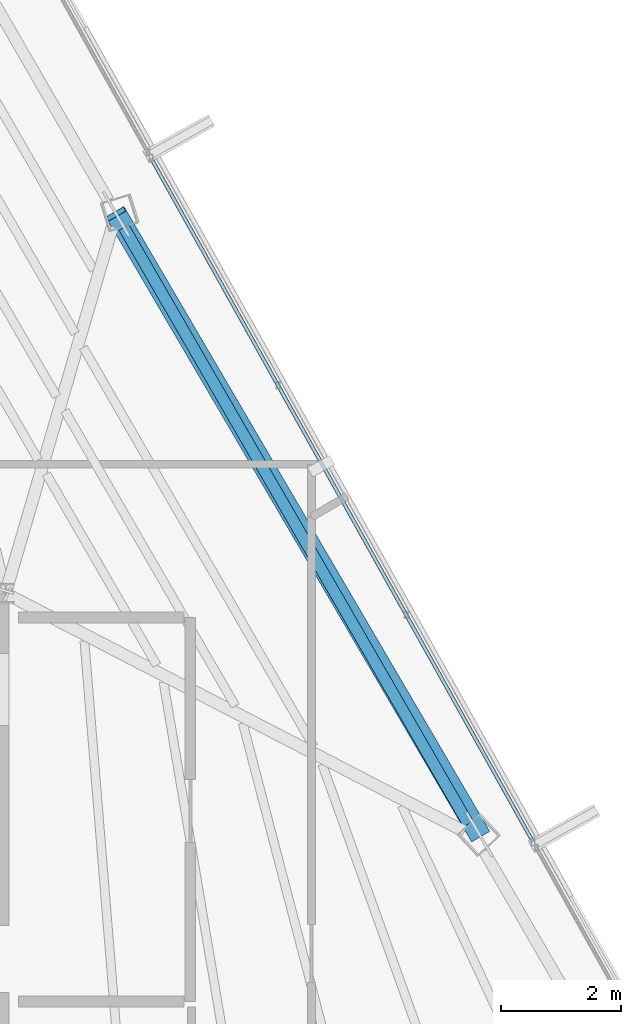
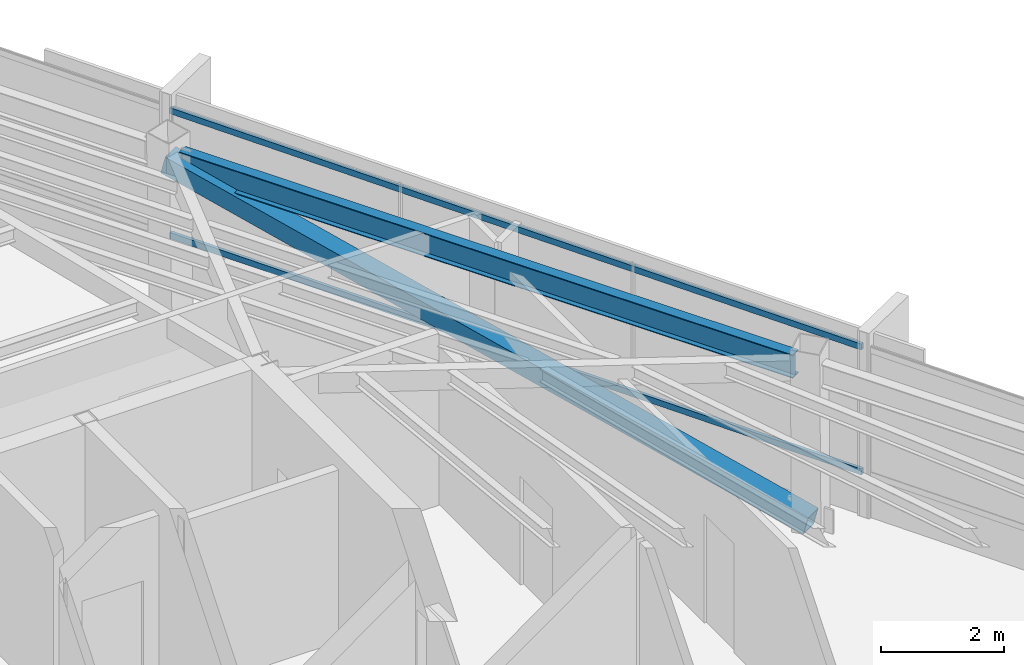
# One storey, part 29 of 45: 3 members, 1 beam, 1 element without a shape of its own.
"""IFC4 building model written with IfcOpenShell, lengths in metres."""

from ifc_helpers import new_model, si_unit, direction, frame, origin, origin_2d, place, context, subcontext, project, spatial, hollow_rectangle, i_section, extrude, source, transform, mapped, material, material_profile, profile_set, type_object, type_shapes, element, aggregate, save


model = new_model("IFC4")

# Units and contexts
model_context = context("Model", 3, precision=1e-05, world=origin(), true_north=direction((0.0, 1.0)))
body_context = subcontext(model_context, "Body", "Model", "MODEL_VIEW")
ifc_project = project(units=[si_unit("LENGTHUNIT", "METRE"), si_unit("AREAUNIT", "SQUARE_METRE"), si_unit("VOLUMEUNIT", "CUBIC_METRE"), si_unit("PLANEANGLEUNIT", "RADIAN"), si_unit("MASSUNIT", "GRAM", prefix="KILO")], contexts=[model_context])

# Site, building, storey
site_placement = place(None, origin())
site = spatial("IfcSite", under=ifc_project, at=site_placement, CompositionType="ELEMENT")
building_placement = place(site_placement, origin())
building = spatial("IfcBuilding", under=site, at=building_placement, Name="Caelisora Broadcast Tower", CompositionType="ELEMENT")
storey_placement = place(building_placement, frame((0.0, 0.0, 273.64990234375)))
storey = spatial("IfcBuildingStorey", under=building, at=storey_placement, Name="L72", CompositionType="ELEMENT", Elevation=273.64990234375)

# Beam
ifc_material_1 = material(Name="Steel Grade 350 (AS/NZS 3679.1)", Category="steel")
ifc_material_profile_1 = material_profile(ifc_material_1, i_section(OverallWidth=0.19091796875, OverallDepth=0.46044921875, WebThickness=0.010009765625, FlangeThickness=0.01611328125, at=origin_2d()), Name="Steel Grade 350 (AS/NZS 3679.1)")
ifc_profile_set_1 = profile_set([ifc_material_profile_1], Name="Steel Grade 350 (AS/NZS 3679.1)")
beam_type = type_object("IfcBeamType", Name="PG06", PredefinedType="BEAM", material=ifc_profile_set_1)
shared_shape_1 = source(origin(), body_context, "Body", "SweptSolid", [
    extrude(i_section(OverallWidth=0.19091796875, OverallDepth=0.46044921875, WebThickness=0.010009765625, FlangeThickness=0.01611328125, at=origin_2d()), origin(), (0.0, 0.0, 1.0), 11.476806640625),
])
type_shapes(beam_type, [shared_shape_1])
beam_placement = place(storey_placement, frame((53.213623046875, 26.157470703125, 3.169921875), z_axis=(-0.500007868499, 0.866020860857, 0.0), x_axis=(-0.866020860857, -0.500007868499, 0.0)))
element("IfcBeam", 1, at=beam_placement, inside=storey, type_object=beam_type, Name="L72 beam PG06", PredefinedType="BEAM", context=body_context, shape_type="MappedRepresentation", body=[
    mapped(shared_shape_1, transform((0.0, 0.0, 0.0), scale=1.0)),
])

# Member
ifc_material_2 = material(Name="Steel Grade 450 (AS/NZS 1163 C450L0)", Category="steel")
ifc_material_profile_2 = material_profile(ifc_material_2, hollow_rectangle(XDim=0.35009765625, YDim=0.35009765625, WallThickness=0.012451171875, at=origin_2d()), Name="Steel Grade 450 (AS/NZS 1163 C450L0)")
ifc_profile_set_2 = profile_set([ifc_material_profile_2], Name="Steel Grade 450 (AS/NZS 1163 C450L0)")
member_type_1 = type_object("IfcMemberType", Name="BR05", PredefinedType="BRACE", material=ifc_profile_set_2)
shared_shape_2 = source(origin(), body_context, "Body", "SweptSolid", [
    extrude(hollow_rectangle(XDim=0.35009765625, YDim=0.35009765625, WallThickness=0.012451171875, at=origin_2d()), origin(), (0.0, 0.0, 1.0), 12.3505859375),
])
type_shapes(member_type_1, [shared_shape_2])
member_1_placement = place(storey_placement, frame((53.39794921875, 25.982666015625, 0.10009765625), z_axis=(-0.490075265234, 0.837152609013, 0.242902745208), x_axis=(-0.862998867341, -0.505205854052, 0.0)))
element("IfcMember", 2, at=member_1_placement, inside=storey, type_object=member_type_1, Name="L72 perimeter brace BR05", PredefinedType="BRACE", context=body_context, shape_type="MappedRepresentation", body=[
    mapped(shared_shape_2, transform((0.0, 0.0, 0.0), scale=1.0)),
])

# Curtain wall, members
ifc_material_3 = material(Name="Unitised Aluminium Insulated Shadow-Box Spandrel Curtain Wall", Category="aluminium")
curtain_wall_type = type_object("IfcCurtainWallType", Name="CW-SP3", PredefinedType="NOTDEFINED", material=ifc_material_3)
curtain_wall_placement = place(storey_placement, origin())
curtain_wall = element("IfcCurtainWall", 3, at=curtain_wall_placement, inside=storey, type_object=curtain_wall_type, Name="L72 curtain wall CW-SP3", PredefinedType="NOTDEFINED")
ifc_material_4 = material(Name="Aluminium 6063-T6 Anodised Terracotta Bronze", Category="aluminium")
ifc_material_profile_3 = material_profile(ifc_material_4, hollow_rectangle(XDim=0.06005859375, YDim=0.1201171875, WallThickness=0.0029296875, at=origin_2d()), Name="Aluminium 6063-T6 Anodised Terracotta Bronze")
ifc_profile_set_3 = profile_set([ifc_material_profile_3], Name="Aluminium 6063-T6 Anodised Terracotta Bronze")
member_type_2 = type_object("IfcMemberType", Name="CWT-03", PredefinedType="USERDEFINED", material=ifc_profile_set_3)
shared_shape_3 = source(origin(), body_context, "Body", "SweptSolid", [
    extrude(hollow_rectangle(XDim=0.06005859375, YDim=0.1201171875, WallThickness=0.0029296875, at=origin_2d()), origin(), (0.0, 0.0, 1.0), 13.052978515625),
])
type_shapes(member_type_2, [shared_shape_3])
member_2_placement = place(storey_placement, frame((47.926513671875, 37.25341796875, 0.85009765625), z_axis=(0.487698108339, -0.873012345344, 0.0), x_axis=(0.873012345344, 0.487698108339, 0.0)))
member_2 = element("IfcMember", 4, at=member_2_placement, type_object=member_type_2, Name="L72-CW-B02 transom #1", ObjectType="TRANSOM", PredefinedType="USERDEFINED", context=body_context, shape_type="MappedRepresentation", body=[
    mapped(shared_shape_3, transform((0.0, 0.0, 0.0), scale=1.0)),
])
member_3_placement = place(storey_placement, frame((47.926513671875, 37.25341796875, 3.320068359375), z_axis=(0.487698108339, -0.873012345344, 0.0), x_axis=(0.873012345344, 0.487698108339, 0.0)))
member_3 = element("IfcMember", 5, at=member_3_placement, type_object=member_type_2, Name="L72-CW-B02 transom #2", ObjectType="TRANSOM", PredefinedType="USERDEFINED", context=body_context, shape_type="MappedRepresentation", body=[
    mapped(shared_shape_3, transform((0.0, 0.0, 0.0), scale=1.0)),
])
aggregate(curtain_wall, [member_2, member_3])

save(model, "model.ifc")
